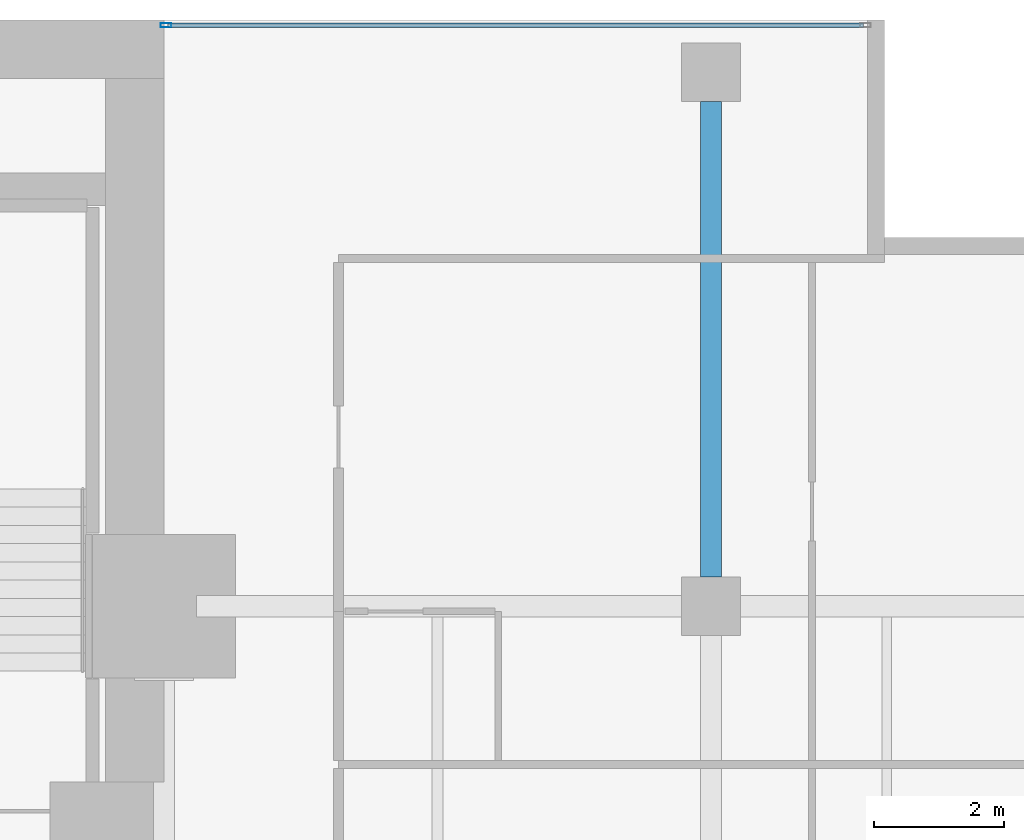
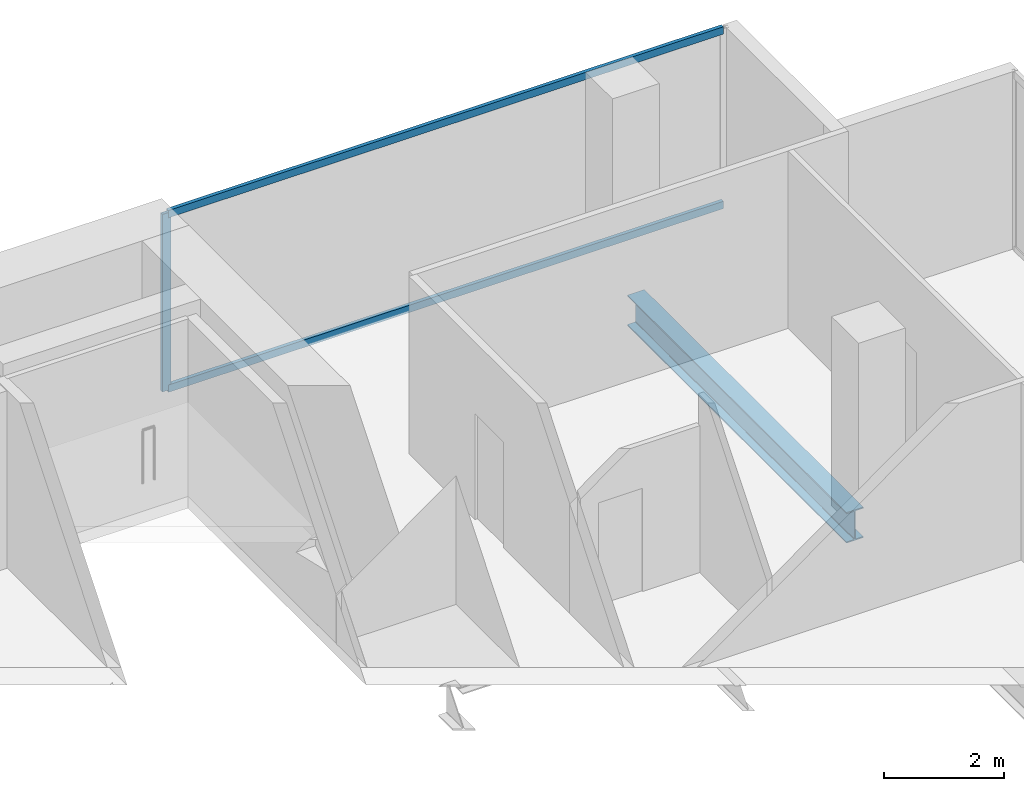
# One storey, part 30 of 40: 3 members, 1 beam, 1 element without a shape of its own.
"""IFC4 building model written with IfcOpenShell, lengths in metres."""

from ifc_helpers import new_model, si_unit, direction, frame, origin, origin_2d, place, context, subcontext, project, spatial, hollow_rectangle, i_section, extrude, material, layer, layer_set, material_profile, profile_set, type_object, element, aggregate, save


model = new_model("IFC4")

# Units and contexts
model_context = context("Model", 3, precision=1e-05, world=origin(), true_north=direction((0.0, 1.0)))
body_context = subcontext(model_context, "Body", "Model", "MODEL_VIEW")
ifc_project = project(units=[si_unit("LENGTHUNIT", "METRE"), si_unit("AREAUNIT", "SQUARE_METRE"), si_unit("VOLUMEUNIT", "CUBIC_METRE"), si_unit("PLANEANGLEUNIT", "RADIAN"), si_unit("MASSUNIT", "GRAM", prefix="KILO")], contexts=[model_context])

# Site, building, storey
site_placement = place(None, origin())
site = spatial("IfcSite", under=ifc_project, at=site_placement, CompositionType="ELEMENT")
building_placement = place(site_placement, origin())
building = spatial("IfcBuilding", under=site, at=building_placement, Name="Maruvema Waterfront Hotel and Observation Tower", CompositionType="ELEMENT")
storey_placement = place(building_placement, frame((0.0, 0.0, 53.89990234375)))
storey = spatial("IfcBuildingStorey", under=building, at=storey_placement, Name="L12", CompositionType="ELEMENT", Elevation=53.89990234375)

# Curtain wall, members
ifc_material_1 = material(Name="Anodised bronze aluminium and solar-control low-E IGU", Category="aluminium")
ifc_layer = layer(ifc_material_1, 0.159912109375, Name="Zone 1 Bronze Inner Thermal Curtain Wall System CW-02")
ifc_layer_set = layer_set([ifc_layer], Name="Anodised bronze aluminium and solar-control low-E IGU")
curtain_wall_type = type_object("IfcCurtainWallType", Name="Zone 1 Bronze Inner Thermal Curtain Wall System CW-02", PredefinedType="USERDEFINED", material=ifc_layer_set)
curtain_wall_placement = place(storey_placement, origin())
curtain_wall = element("IfcCurtainWall", 1, at=curtain_wall_placement, inside=storey, type_object=curtain_wall_type, Name="L12 Curtain Wall CW-L12-NE", ObjectType="UNITISED CURTAIN WALL", PredefinedType="USERDEFINED")
ifc_material_2 = material(Name="Anodised architectural bronze aluminium", Category="aluminium")
ifc_material_profile_1 = material_profile(ifc_material_2, hollow_rectangle(XDim=0.070068359375, YDim=0.14990234375, WallThickness=0.00390625, at=origin_2d()), Name="ALU-T70x150")
ifc_profile_set_1 = profile_set([ifc_material_profile_1], Name="Anodised architectural bronze aluminium")
member_type_1 = type_object("IfcMemberType", Name="Curtain Wall Horizontal Transom ALU-T70x150", PredefinedType="USERDEFINED", material=ifc_profile_set_1)
member_1_placement = place(storey_placement, frame((61.139892578125, 53.919921875, 0.030029296875), z_axis=(-1.0, 0.0, 0.0), x_axis=(0.0, -1.0, 0.0)))
member_1 = element("IfcMember", 2, at=member_1_placement, type_object=member_type_1, Name="CW-02 transom 1.1", ObjectType="TRANSOM", PredefinedType="USERDEFINED", context=body_context, shape_type="SweptSolid", body=[
    extrude(hollow_rectangle(XDim=0.070068359375, YDim=0.14990234375, WallThickness=0.00390625, at=origin_2d()), origin(), (0.0, 0.0, 1.0), 10.679931640625),
])
member_2_placement = place(storey_placement, frame((61.139892578125, 53.919921875, 3.580078125), z_axis=(-1.0, 0.0, 0.0), x_axis=(0.0, -1.0, 0.0)))
member_2 = element("IfcMember", 3, at=member_2_placement, type_object=member_type_1, Name="CW-02 transom 1.2", ObjectType="TRANSOM", PredefinedType="USERDEFINED", context=body_context, shape_type="SweptSolid", body=[
    extrude(hollow_rectangle(XDim=0.070068359375, YDim=0.14990234375, WallThickness=0.00390625, at=origin_2d()), origin(), (0.0, 0.0, 1.0), 10.679931640625),
])
ifc_material_3 = material(Name="Anodised architectural bronze aluminium", Category="aluminium")
ifc_material_profile_2 = material_profile(ifc_material_3, hollow_rectangle(XDim=0.06494140625, YDim=0.1650390625, WallThickness=0.00390625, at=origin_2d()), Name="ALU-M65x165")
ifc_profile_set_2 = profile_set([ifc_material_profile_2], Name="Anodised architectural bronze aluminium")
member_type_2 = type_object("IfcMemberType", Name="Curtain Wall Primary Mullion ALU-M65x165", PredefinedType="MULLION", material=ifc_profile_set_2)
member_3_placement = place(storey_placement, frame((50.429931640625, 53.919921875, 0.0), z_axis=(0.0, 0.0, 1.0), x_axis=(0.0, -1.0, 0.0)))
member_3 = element("IfcMember", 4, at=member_3_placement, type_object=member_type_2, Name="CW-02 mullion 2", PredefinedType="MULLION", context=body_context, shape_type="SweptSolid", body=[
    extrude(hollow_rectangle(XDim=0.06494140625, YDim=0.1650390625, WallThickness=0.00390625, at=origin_2d()), origin(), (0.0, 0.0, 1.0), 3.610107421875),
])
aggregate(curtain_wall, [member_3, member_1, member_2])

# Beam
ifc_material_4 = material(Name="Steel ASTM A572 Grade 50", Category="steel")
ifc_material_profile_3 = material_profile(ifc_material_4, i_section(OverallWidth=0.326904296875, OverallDepth=0.6220703125, WebThickness=0.015380859375, FlangeThickness=0.0244140625, FilletRadius=0.01806640625, at=origin_2d()), Name="W610x195.0")
ifc_profile_set_3 = profile_set([ifc_material_profile_3], Name="Steel ASTM A572 Grade 50")
beam_type = type_object("IfcBeamType", Name="Primary Floor Girder W610x195.0", PredefinedType="BEAM", material=ifc_profile_set_3)
beam_placement = place(storey_placement, frame((58.800048828125, 45.449951171875, -0.55078125), z_axis=(0.0, 1.0, 0.0), x_axis=(-1.0, 0.0, 0.0)))
element("IfcBeam", 5, at=beam_placement, inside=storey, type_object=beam_type, Name="L12 Floor Girder NS-32", PredefinedType="BEAM", context=body_context, shape_type="SweptSolid", body=[
    extrude(i_section(OverallWidth=0.326904296875, OverallDepth=0.6220703125, WebThickness=0.015380859375, FlangeThickness=0.0244140625, FilletRadius=0.01806640625, at=origin_2d()), origin(), (0.0, 0.0, 1.0), 7.300048828125),
])

save(model, "model.ifc")
